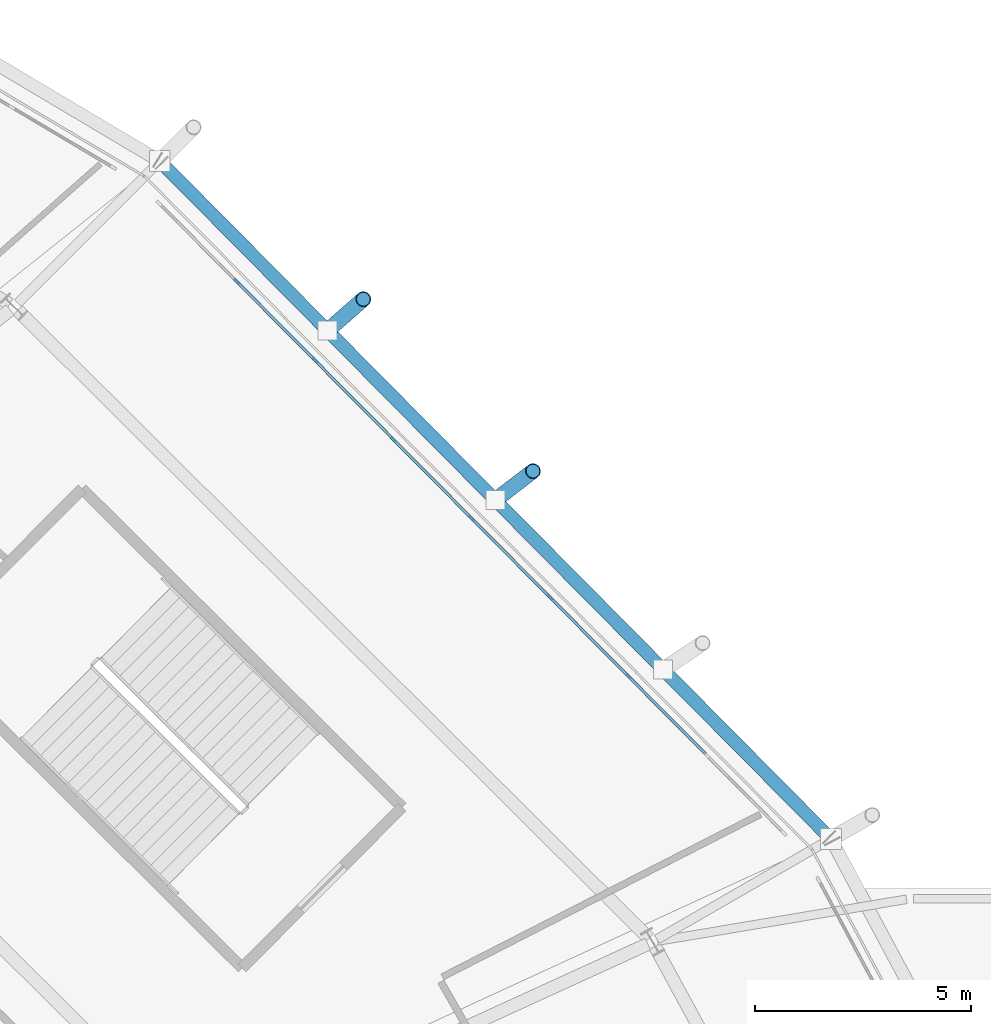
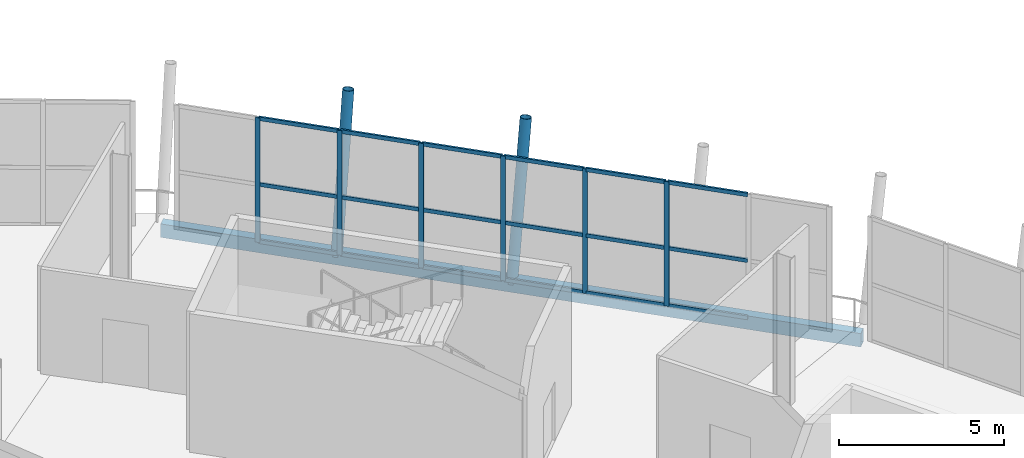
# One storey, part 45 of 126: 26 members, 1 beam, 1 element without a shape of its own.
"""IFC4 building model written with IfcOpenShell, lengths in metres."""

from ifc_helpers import new_model, si_unit, direction, frame, origin, origin_2d, place, context, subcontext, project, spatial, rectangle, hollow_rectangle, hollow_circle, extrude, material, material_profile, profile_set, type_object, element, aggregate, save


model = new_model("IFC4")

# Units and contexts
model_context = context("Model", 3, precision=1e-05, world=origin(), true_north=direction((0.0, 1.0)))
body_context = subcontext(model_context, "Body", "Model", "MODEL_VIEW")
ifc_project = project(units=[si_unit("LENGTHUNIT", "METRE"), si_unit("AREAUNIT", "SQUARE_METRE"), si_unit("VOLUMEUNIT", "CUBIC_METRE"), si_unit("PLANEANGLEUNIT", "RADIAN"), si_unit("MASSUNIT", "GRAM", prefix="KILO")], contexts=[model_context])

# Site, building, storey
site_placement = place(None, origin())
site = spatial("IfcSite", under=ifc_project, at=site_placement, CompositionType="ELEMENT")
building_placement = place(site_placement, origin())
building = spatial("IfcBuilding", under=site, at=building_placement, Name="Zlatoyarsky Gate Stadium", CompositionType="ELEMENT")
storey_placement = place(building_placement, frame((0.0, 0.0, 20.800048828125)))
storey = spatial("IfcBuildingStorey", under=building, at=storey_placement, Name="L04", CompositionType="ELEMENT", Elevation=20.800048828125)

# Curtain wall, members
ifc_material_1 = material(Name="Thermally broken anodised aluminium curtain wall", Category="aluminium")
curtain_wall_type = type_object("IfcCurtainWallType", Name="UNITISED MEDIA RING GLAZING L04", PredefinedType="USERDEFINED", material=ifc_material_1)
curtain_wall_placement = place(storey_placement, origin())
curtain_wall = element("IfcCurtainWall", 1, at=curtain_wall_placement, inside=storey, type_object=curtain_wall_type, Name="Curtain wall CW-L04-02", ObjectType="UNITISED GLAZING", PredefinedType="USERDEFINED")
ifc_material_2 = material(Name="Anodised aluminium 6063-T6", Category="aluminium")
ifc_material_profile_1 = material_profile(ifc_material_2, rectangle(XDim=0.06494140625, YDim=0.159912109375, at=origin_2d()), Name="ALU 65X160")
ifc_profile_set_1 = profile_set([ifc_material_profile_1], Name="Anodised aluminium 6063-T6")
member_type_1 = type_object("IfcMemberType", Name="ALUMINIUM MULLION 65X160", PredefinedType="MULLION", material=ifc_profile_set_1)
member_1_placement = place(storey_placement, frame((190.979248046875, 121.65234375, 0.0), z_axis=(0.0, 0.0, 1.0), x_axis=(-0.709870536386, -0.704332181269, 0.0)))
member_1 = element("IfcMember", 2, at=member_1_placement, type_object=member_type_1, Name="CW-UG4 mullion 3", PredefinedType="MULLION", context=body_context, shape_type="SweptSolid", body=[
    extrude(rectangle(XDim=0.06494140625, YDim=0.159912109375, at=origin_2d()), origin(), (0.0, 0.0, 1.0), 4.619873046875),
])
member_2_placement = place(storey_placement, frame((189.16552734375, 123.48046875, 0.0), z_axis=(0.0, 0.0, 1.0), x_axis=(-0.709870536386, -0.704332181269, 0.0)))
member_2 = element("IfcMember", 3, at=member_2_placement, type_object=member_type_1, Name="CW-UG4 mullion 4", PredefinedType="MULLION", context=body_context, shape_type="SweptSolid", body=[
    extrude(rectangle(XDim=0.06494140625, YDim=0.159912109375, at=origin_2d()), origin(), (0.0, 0.0, 1.0), 4.619873046875),
])
member_3_placement = place(storey_placement, frame((187.3515625, 125.30859375, 0.0), z_axis=(0.0, 0.0, 1.0), x_axis=(-0.709870536386, -0.704332181269, 0.0)))
member_3 = element("IfcMember", 4, at=member_3_placement, type_object=member_type_1, Name="CW-UG4 mullion 5", PredefinedType="MULLION", context=body_context, shape_type="SweptSolid", body=[
    extrude(rectangle(XDim=0.06494140625, YDim=0.159912109375, at=origin_2d()), origin(), (0.0, 0.0, 1.0), 4.619873046875),
])
member_4_placement = place(storey_placement, frame((185.537841796875, 127.136474609375, 0.0), z_axis=(0.0, 0.0, 1.0), x_axis=(-0.709870536386, -0.704332181269, 0.0)))
member_4 = element("IfcMember", 5, at=member_4_placement, type_object=member_type_1, Name="CW-UG4 mullion 6", PredefinedType="MULLION", context=body_context, shape_type="SweptSolid", body=[
    extrude(rectangle(XDim=0.06494140625, YDim=0.159912109375, at=origin_2d()), origin(), (0.0, 0.0, 1.0), 4.619873046875),
])
member_5_placement = place(storey_placement, frame((183.72412109375, 128.964599609375, 0.0), z_axis=(0.0, 0.0, 1.0), x_axis=(-0.709870536386, -0.704332181269, 0.0)))
member_5 = element("IfcMember", 6, at=member_5_placement, type_object=member_type_1, Name="CW-UG4 mullion 7", PredefinedType="MULLION", context=body_context, shape_type="SweptSolid", body=[
    extrude(rectangle(XDim=0.06494140625, YDim=0.159912109375, at=origin_2d()), origin(), (0.0, 0.0, 1.0), 4.619873046875),
])
member_6_placement = place(storey_placement, frame((181.91015625, 130.792724609375, 0.0), z_axis=(0.0, 0.0, 1.0), x_axis=(-0.709870536386, -0.704332181269, 0.0)))
member_6 = element("IfcMember", 7, at=member_6_placement, type_object=member_type_1, Name="CW-UG4 mullion 8", PredefinedType="MULLION", context=body_context, shape_type="SweptSolid", body=[
    extrude(rectangle(XDim=0.06494140625, YDim=0.159912109375, at=origin_2d()), origin(), (0.0, 0.0, 1.0), 4.619873046875),
])
ifc_material_profile_2 = material_profile(ifc_material_2, rectangle(XDim=0.06494140625, YDim=0.139892578125, at=origin_2d()), Name="ALU 65X140")
ifc_profile_set_2 = profile_set([ifc_material_profile_2], Name="Anodised aluminium 6063-T6")
member_type_2 = type_object("IfcMemberType", Name="ALUMINIUM TRANSOM 65X140", PredefinedType="USERDEFINED", material=ifc_profile_set_2)
member_7_placement = place(storey_placement, frame((192.770263671875, 119.847412109375, 0.032470703125), z_axis=(-0.70432954627, 0.709873150818, 0.0), x_axis=(-0.709873150818, -0.70432954627, 0.0)))
member_7 = element("IfcMember", 8, at=member_7_placement, type_object=member_type_2, Name="CW-UG4 transom 2.1", ObjectType="TRANSOM", PredefinedType="USERDEFINED", context=body_context, shape_type="SweptSolid", body=[
    extrude(rectangle(XDim=0.06494140625, YDim=0.139892578125, at=origin_2d()), origin(), (0.0, 0.0, 1.0), 2.51025390625),
])
member_8_placement = place(storey_placement, frame((192.770263671875, 119.847412109375, 2.14990234375), z_axis=(-0.70432954627, 0.709873150818, 0.0), x_axis=(-0.709873150818, -0.70432954627, 0.0)))
member_8 = element("IfcMember", 9, at=member_8_placement, type_object=member_type_2, Name="CW-UG4 transom 2.2", ObjectType="TRANSOM", PredefinedType="USERDEFINED", context=body_context, shape_type="SweptSolid", body=[
    extrude(rectangle(XDim=0.06494140625, YDim=0.139892578125, at=origin_2d()), origin(), (0.0, 0.0, 1.0), 2.51025390625),
])
member_9_placement = place(storey_placement, frame((192.770263671875, 119.847412109375, 4.58740234375), z_axis=(-0.70432954627, 0.709873150818, 0.0), x_axis=(-0.709873150818, -0.70432954627, 0.0)))
member_9 = element("IfcMember", 10, at=member_9_placement, type_object=member_type_2, Name="CW-UG4 transom 2.3", ObjectType="TRANSOM", PredefinedType="USERDEFINED", context=body_context, shape_type="SweptSolid", body=[
    extrude(rectangle(XDim=0.06494140625, YDim=0.139892578125, at=origin_2d()), origin(), (0.0, 0.0, 1.0), 2.51025390625),
])
member_10_placement = place(storey_placement, frame((190.956298828125, 121.675537109375, 0.032470703125), z_axis=(-0.70437817459, 0.709824898945, 0.0), x_axis=(-0.709824898945, -0.70437817459, 0.0)))
member_10 = element("IfcMember", 11, at=member_10_placement, type_object=member_type_2, Name="CW-UG4 transom 3.1", ObjectType="TRANSOM", PredefinedType="USERDEFINED", context=body_context, shape_type="SweptSolid", body=[
    extrude(rectangle(XDim=0.06494140625, YDim=0.139892578125, at=origin_2d()), origin(), (0.0, 0.0, 1.0), 2.510009765625),
])
member_11_placement = place(storey_placement, frame((190.956298828125, 121.675537109375, 2.14990234375), z_axis=(-0.70437817459, 0.709824898945, 0.0), x_axis=(-0.709824898945, -0.70437817459, 0.0)))
member_11 = element("IfcMember", 12, at=member_11_placement, type_object=member_type_2, Name="CW-UG4 transom 3.2", ObjectType="TRANSOM", PredefinedType="USERDEFINED", context=body_context, shape_type="SweptSolid", body=[
    extrude(rectangle(XDim=0.06494140625, YDim=0.139892578125, at=origin_2d()), origin(), (0.0, 0.0, 1.0), 2.510009765625),
])
member_12_placement = place(storey_placement, frame((190.956298828125, 121.675537109375, 4.58740234375), z_axis=(-0.70437817459, 0.709824898945, 0.0), x_axis=(-0.709824898945, -0.70437817459, 0.0)))
member_12 = element("IfcMember", 13, at=member_12_placement, type_object=member_type_2, Name="CW-UG4 transom 3.3", ObjectType="TRANSOM", PredefinedType="USERDEFINED", context=body_context, shape_type="SweptSolid", body=[
    extrude(rectangle(XDim=0.06494140625, YDim=0.139892578125, at=origin_2d()), origin(), (0.0, 0.0, 1.0), 2.510009765625),
])
member_13_placement = place(storey_placement, frame((189.142578125, 123.50341796875, 0.032470703125), z_axis=(-0.70432954627, 0.709873150818, 0.0), x_axis=(-0.709873150818, -0.70432954627, 0.0)))
member_13 = element("IfcMember", 14, at=member_13_placement, type_object=member_type_2, Name="CW-UG4 transom 4.1", ObjectType="TRANSOM", PredefinedType="USERDEFINED", context=body_context, shape_type="SweptSolid", body=[
    extrude(rectangle(XDim=0.06494140625, YDim=0.139892578125, at=origin_2d()), origin(), (0.0, 0.0, 1.0), 2.51025390625),
])
member_14_placement = place(storey_placement, frame((189.142578125, 123.50341796875, 2.14990234375), z_axis=(-0.70432954627, 0.709873150818, 0.0), x_axis=(-0.709873150818, -0.70432954627, 0.0)))
member_14 = element("IfcMember", 15, at=member_14_placement, type_object=member_type_2, Name="CW-UG4 transom 4.2", ObjectType="TRANSOM", PredefinedType="USERDEFINED", context=body_context, shape_type="SweptSolid", body=[
    extrude(rectangle(XDim=0.06494140625, YDim=0.139892578125, at=origin_2d()), origin(), (0.0, 0.0, 1.0), 2.51025390625),
])
member_15_placement = place(storey_placement, frame((189.142578125, 123.50341796875, 4.58740234375), z_axis=(-0.70432954627, 0.709873150818, 0.0), x_axis=(-0.709873150818, -0.70432954627, 0.0)))
member_15 = element("IfcMember", 16, at=member_15_placement, type_object=member_type_2, Name="CW-UG4 transom 4.3", ObjectType="TRANSOM", PredefinedType="USERDEFINED", context=body_context, shape_type="SweptSolid", body=[
    extrude(rectangle(XDim=0.06494140625, YDim=0.139892578125, at=origin_2d()), origin(), (0.0, 0.0, 1.0), 2.51025390625),
])
member_16_placement = place(storey_placement, frame((187.328857421875, 125.33154296875, 0.032470703125), z_axis=(-0.70432954627, 0.709873150818, 0.0), x_axis=(-0.709873150818, -0.70432954627, 0.0)))
member_16 = element("IfcMember", 17, at=member_16_placement, type_object=member_type_2, Name="CW-UG4 transom 5.1", ObjectType="TRANSOM", PredefinedType="USERDEFINED", context=body_context, shape_type="SweptSolid", body=[
    extrude(rectangle(XDim=0.06494140625, YDim=0.139892578125, at=origin_2d()), origin(), (0.0, 0.0, 1.0), 2.51025390625),
])
member_17_placement = place(storey_placement, frame((187.328857421875, 125.33154296875, 2.14990234375), z_axis=(-0.70432954627, 0.709873150818, 0.0), x_axis=(-0.709873150818, -0.70432954627, 0.0)))
member_17 = element("IfcMember", 18, at=member_17_placement, type_object=member_type_2, Name="CW-UG4 transom 5.2", ObjectType="TRANSOM", PredefinedType="USERDEFINED", context=body_context, shape_type="SweptSolid", body=[
    extrude(rectangle(XDim=0.06494140625, YDim=0.139892578125, at=origin_2d()), origin(), (0.0, 0.0, 1.0), 2.51025390625),
])
member_18_placement = place(storey_placement, frame((187.328857421875, 125.33154296875, 4.58740234375), z_axis=(-0.70432954627, 0.709873150818, 0.0), x_axis=(-0.709873150818, -0.70432954627, 0.0)))
member_18 = element("IfcMember", 19, at=member_18_placement, type_object=member_type_2, Name="CW-UG4 transom 5.3", ObjectType="TRANSOM", PredefinedType="USERDEFINED", context=body_context, shape_type="SweptSolid", body=[
    extrude(rectangle(XDim=0.06494140625, YDim=0.139892578125, at=origin_2d()), origin(), (0.0, 0.0, 1.0), 2.51025390625),
])
member_19_placement = place(storey_placement, frame((185.514892578125, 127.15966796875, 0.032470703125), z_axis=(-0.70432954627, 0.709873150818, 0.0), x_axis=(-0.709873150818, -0.70432954627, 0.0)))
member_19 = element("IfcMember", 20, at=member_19_placement, type_object=member_type_2, Name="CW-UG4 transom 6.1", ObjectType="TRANSOM", PredefinedType="USERDEFINED", context=body_context, shape_type="SweptSolid", body=[
    extrude(rectangle(XDim=0.06494140625, YDim=0.139892578125, at=origin_2d()), origin(), (0.0, 0.0, 1.0), 2.51025390625),
])
member_20_placement = place(storey_placement, frame((185.514892578125, 127.15966796875, 2.14990234375), z_axis=(-0.70432954627, 0.709873150818, 0.0), x_axis=(-0.709873150818, -0.70432954627, 0.0)))
member_20 = element("IfcMember", 21, at=member_20_placement, type_object=member_type_2, Name="CW-UG4 transom 6.2", ObjectType="TRANSOM", PredefinedType="USERDEFINED", context=body_context, shape_type="SweptSolid", body=[
    extrude(rectangle(XDim=0.06494140625, YDim=0.139892578125, at=origin_2d()), origin(), (0.0, 0.0, 1.0), 2.51025390625),
])
member_21_placement = place(storey_placement, frame((185.514892578125, 127.15966796875, 4.58740234375), z_axis=(-0.70432954627, 0.709873150818, 0.0), x_axis=(-0.709873150818, -0.70432954627, 0.0)))
member_21 = element("IfcMember", 22, at=member_21_placement, type_object=member_type_2, Name="CW-UG4 transom 6.3", ObjectType="TRANSOM", PredefinedType="USERDEFINED", context=body_context, shape_type="SweptSolid", body=[
    extrude(rectangle(XDim=0.06494140625, YDim=0.139892578125, at=origin_2d()), origin(), (0.0, 0.0, 1.0), 2.51025390625),
])
member_22_placement = place(storey_placement, frame((183.701171875, 128.98779296875, 0.032470703125), z_axis=(-0.70432954627, 0.709873150818, 0.0), x_axis=(-0.709873150818, -0.70432954627, 0.0)))
member_22 = element("IfcMember", 23, at=member_22_placement, type_object=member_type_2, Name="CW-UG4 transom 7.1", ObjectType="TRANSOM", PredefinedType="USERDEFINED", context=body_context, shape_type="SweptSolid", body=[
    extrude(rectangle(XDim=0.06494140625, YDim=0.139892578125, at=origin_2d()), origin(), (0.0, 0.0, 1.0), 2.51025390625),
])
member_23_placement = place(storey_placement, frame((183.701171875, 128.98779296875, 2.14990234375), z_axis=(-0.70432954627, 0.709873150818, 0.0), x_axis=(-0.709873150818, -0.70432954627, 0.0)))
member_23 = element("IfcMember", 24, at=member_23_placement, type_object=member_type_2, Name="CW-UG4 transom 7.2", ObjectType="TRANSOM", PredefinedType="USERDEFINED", context=body_context, shape_type="SweptSolid", body=[
    extrude(rectangle(XDim=0.06494140625, YDim=0.139892578125, at=origin_2d()), origin(), (0.0, 0.0, 1.0), 2.51025390625),
])
member_24_placement = place(storey_placement, frame((183.701171875, 128.98779296875, 4.58740234375), z_axis=(-0.70432954627, 0.709873150818, 0.0), x_axis=(-0.709873150818, -0.70432954627, 0.0)))
member_24 = element("IfcMember", 25, at=member_24_placement, type_object=member_type_2, Name="CW-UG4 transom 7.3", ObjectType="TRANSOM", PredefinedType="USERDEFINED", context=body_context, shape_type="SweptSolid", body=[
    extrude(rectangle(XDim=0.06494140625, YDim=0.139892578125, at=origin_2d()), origin(), (0.0, 0.0, 1.0), 2.51025390625),
])
aggregate(curtain_wall, [member_1, member_2, member_3, member_4, member_5, member_6, member_7, member_8, member_9, member_10, member_11, member_12, member_13, member_14, member_15, member_16, member_17, member_18, member_19, member_20, member_21, member_22, member_23, member_24])

# Members
ifc_material_3 = material(Name="Steel S355", Category="steel")
ifc_material_profile_3 = material_profile(ifc_material_3, hollow_circle(Radius=0.177734375, WallThickness=0.02001953125, at=origin_2d()), Name="CHS 355.6X20")
ifc_profile_set_3 = profile_set([ifc_material_profile_3], Name="Steel S355")
member_type_3 = type_object("IfcMemberType", Name="STEEL LEANING RIB RING STRUT CHS 355.6X20", PredefinedType="STRUT", material=ifc_profile_set_3)
member_25_placement = place(storey_placement, frame((187.902099609375, 125.73095703125, -0.550048828125), z_axis=(0.157133721852, 0.120533706012, 0.980194174219), x_axis=(-0.608636710057, 0.793449024936, 0.0)))
element("IfcMember", 26, at=member_25_placement, inside=storey, type_object=member_type_3, Name="Outward-leaning bowl louvre fin rib L04 02-2", PredefinedType="STRUT", context=body_context, shape_type="SweptSolid", body=[
    extrude(hollow_circle(Radius=0.177734375, WallThickness=0.02001953125, at=origin_2d()), origin(), (0.0, 0.0, 1.0), 5.5498046875),
])
member_26_placement = place(storey_placement, frame((184.017822265625, 129.654052734375, -0.550048828125), z_axis=(0.149158661821, 0.130904210433, 0.980110086314), x_axis=(-0.659617999854, 0.751601020667, 0.0)))
element("IfcMember", 27, at=member_26_placement, inside=storey, type_object=member_type_3, Name="Outward-leaning bowl louvre fin rib L04 02-3", PredefinedType="STRUT", context=body_context, shape_type="SweptSolid", body=[
    extrude(hollow_circle(Radius=0.177734375, WallThickness=0.02001953125, at=origin_2d()), origin(), (0.0, 0.0, 1.0), 5.55029296875),
])

# Beam
ifc_material_profile_4 = material_profile(ifc_material_3, hollow_rectangle(XDim=0.300048828125, YDim=0.5, WallThickness=0.02001953125, at=origin_2d()), Name="RHS 500X300X20")
ifc_profile_set_4 = profile_set([ifc_material_profile_4], Name="Steel S355")
beam_type = type_object("IfcBeamType", Name="STEEL LOUVRE CARRIER SPANDREL RHS 500X300X20", PredefinedType="SPANDREL", material=ifc_profile_set_4)
beam_placement = place(storey_placement, frame((195.656982421875, 117.89892578125, -0.550048828125), z_axis=(-0.70358710683, 0.710609022672, 0.0), x_axis=(-0.710609022672, -0.70358710683, 0.0)))
element("IfcBeam", 28, at=beam_placement, inside=storey, type_object=beam_type, Name="Beam SP-RHS500 BM-L04-SPD-02", PredefinedType="SPANDREL", context=body_context, shape_type="SweptSolid", body=[
    extrude(hollow_rectangle(XDim=0.300048828125, YDim=0.5, WallThickness=0.02001953125, at=origin_2d()), origin(), (0.0, 0.0, 1.0), 22.043212890625),
])

save(model, "model.ifc")
